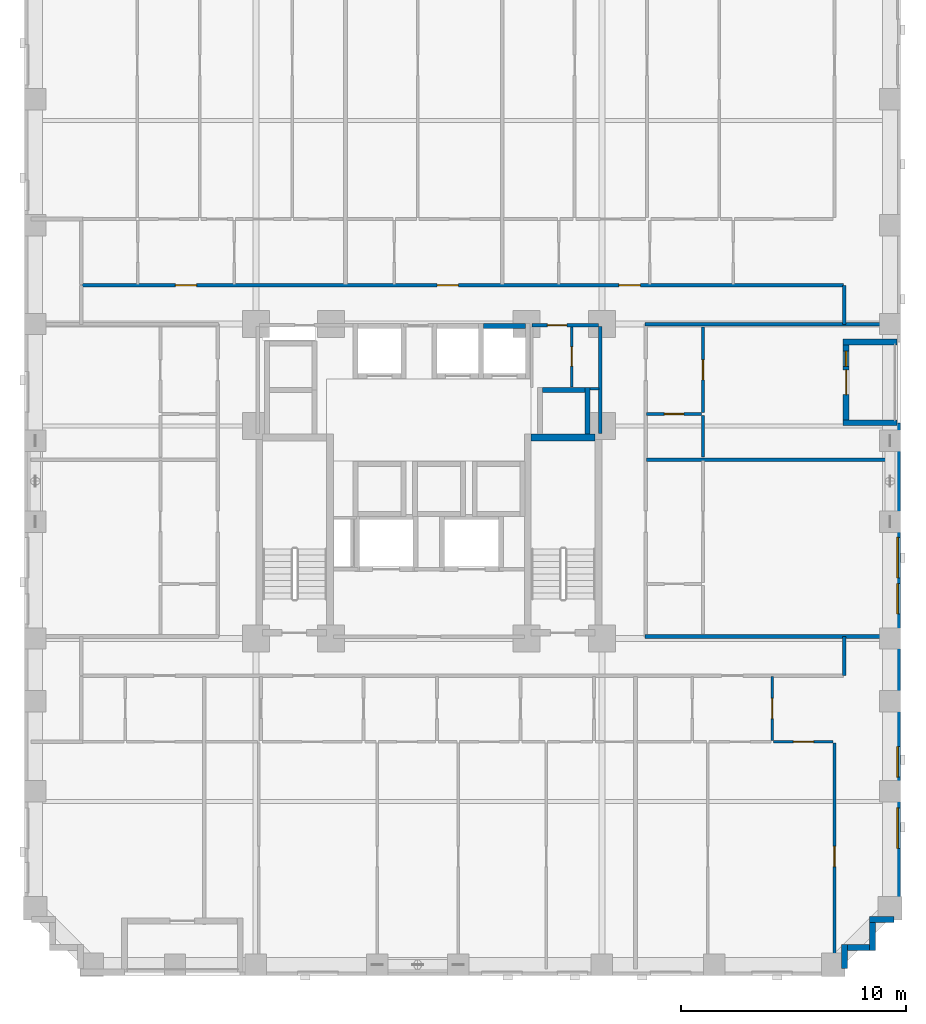
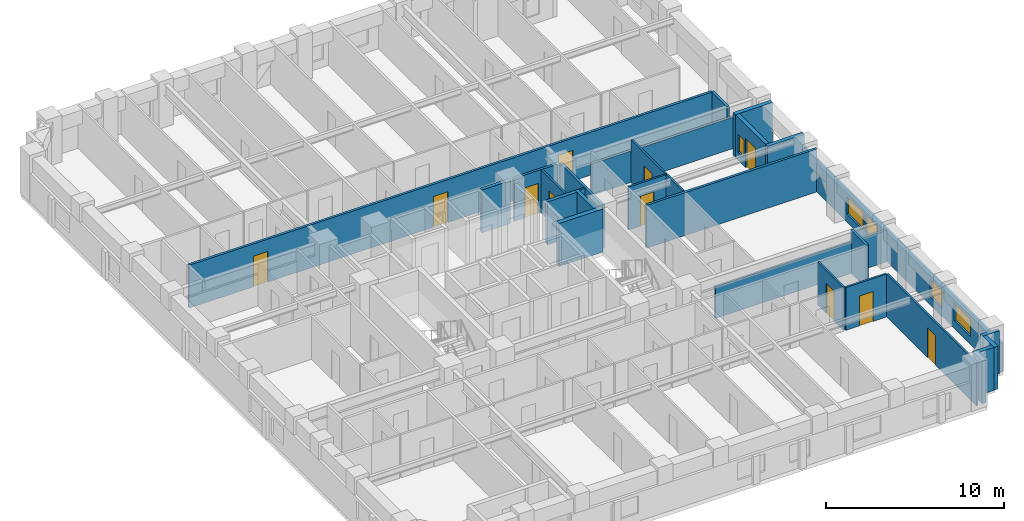
# One storey, part 6 of 13: 28 walls, 11 doors, 5 windows, 16 openings.
"""IFC4 building model written with IfcOpenShell, lengths in metres."""

from ifc_helpers import new_model, si_unit, derived_unit, direction, frame, frame_2d, origin, place, context, subcontext, project, spatial, rectangle, extrude, material, layer, layer_set, type_object, element, fill, save


model = new_model("IFC4")

# Units and contexts
model_context = context("Model", 3, precision=1e-05, world=origin(), true_north=direction((0.0, 1.0)))
body_context = subcontext(model_context, "Body", "Model", "MODEL_VIEW")
ifc_project = project(units=[si_unit("LENGTHUNIT", "METRE"), si_unit("AREAUNIT", "SQUARE_METRE"), si_unit("VOLUMEUNIT", "CUBIC_METRE"), si_unit("PLANEANGLEUNIT", "RADIAN"), si_unit("MASSUNIT", "GRAM", prefix="KILO"), derived_unit("THERMALTRANSMITTANCEUNIT", [(si_unit("MASSUNIT", "GRAM", prefix="KILO"), 1), (si_unit("TIMEUNIT", "SECOND"), -3), (si_unit("THERMODYNAMICTEMPERATUREUNIT", "KELVIN"), -1)])], contexts=[model_context])

# Site, building, storey
site_placement = place(None, origin())
site = spatial("IfcSite", under=ifc_project, at=site_placement, CompositionType="ELEMENT")
building_placement = place(site_placement, origin())
building = spatial("IfcBuilding", under=site, at=building_placement, Name="Korrvale Station Residences", CompositionType="ELEMENT")
storey_placement = place(building_placement, frame((0.0, 0.0, 35.39990234375)))
storey = spatial("IfcBuildingStorey", under=building, at=storey_placement, Name="L08", CompositionType="ELEMENT", Elevation=35.39990234375)

# Walls
ifc_material_1 = material(Name="Concrete C70/85", Category="concrete")
ifc_layer_1 = layer(ifc_material_1, 0.300048828125, Name="Concrete C70/85")
ifc_layer_set_1 = layer_set([ifc_layer_1], Name="Concrete C70/85")
wall_type_1 = type_object("IfcWallType", Name="WAL-CORE-300-C70", PredefinedType="SHEAR", material=ifc_layer_set_1)
wall_1_placement = place(storey_placement, frame((30.050048828125, 23.949951171875, 0.0), z_axis=(0.0, 0.0, 1.0), x_axis=(1.0, 0.0, 0.0)))
element("IfcWall", 1, at=wall_1_placement, inside=storey, type_object=wall_type_1, Name="L08 ST-2 Core Shear Wall North", PredefinedType="SHEAR", context=body_context, shape_type="SweptSolid", body=[
    extrude(rectangle(XDim=2.849853515625, YDim=0.300048828125, at=frame_2d((1.4248046875, 0.0))), origin(), (0.0, 0.0, 1.0), 2.940185546875),
])
ifc_material_2 = material(Name="Precast concrete C45/55", Category="concrete")
ifc_layer_2 = layer(ifc_material_2, 0.260009765625, Name="Precast concrete C45/55")
ifc_layer_set_2 = layer_set([ifc_layer_2], Name="Precast concrete C45/55")
wall_type_2 = type_object("IfcWallType", Name="WAL-EXT-LOG260", PredefinedType="SOLIDWALL", material=ifc_layer_set_2)
wall_2_placement = place(storey_placement, frame((46.340087890625, 28.199951171875, 0.0), z_axis=(0.0, 0.0, 1.0), x_axis=(-1.0, 0.0, 0.0)))
element("IfcWall", 2, at=wall_2_placement, inside=storey, type_object=wall_type_2, Name="L08 Recessed Loggia Wall BAL-L08-E1-L", PredefinedType="SOLIDWALL", context=body_context, shape_type="SweptSolid", body=[
    extrude(rectangle(XDim=2.400146484375, YDim=0.260009765625, at=frame_2d((1.2001953125, 0.0))), origin(), (0.0, 0.0, 1.0), 2.940185546875),
])

# Wall, openings, door, window
wall_3_placement = place(storey_placement, frame((44.070068359375, 28.06591796875, 0.0), z_axis=(0.0, 0.0, 1.0), x_axis=(0.0, -1.0, 0.0)))
wall_3 = element("IfcWall", 3, at=wall_3_placement, inside=storey, type_object=wall_type_2, Name="L08 Recessed Loggia Wall BAL-L08-E1-B", PredefinedType="SOLIDWALL", context=body_context, shape_type="SweptSolid", body=[
    extrude(rectangle(XDim=3.33203125, YDim=0.260009765625, at=frame_2d((1.666015625, 0.0))), origin(), (0.0, 0.0, 1.0), 2.940185546875),
])
opening_1_placement = place(wall_3_placement, frame((1.115966796875, 0.0, 0.0)))
opening_1 = element("IfcOpeningElement", 4, at=opening_1_placement, cuts=wall_3, Name="Opening BD-01", PredefinedType="OPENING", context=body_context, shape_type="SweptSolid", body=[
    extrude(rectangle(XDim=1.10009765625, YDim=2.0, at=frame_2d((0.550048828125, 1.0))), frame((0.0, 0.14013671875, 0.0), z_axis=(0.0, -1.0, 0.0), x_axis=(1.0, 0.0, 0.0)), (0.0, 0.0, 1.0), 0.280029296875),
])
opening_2_placement = place(wall_3_placement, frame((0.27587890625, 0.0, 0.550048828125)))
opening_2 = element("IfcOpeningElement", 5, at=opening_2_placement, cuts=wall_3, Name="Opening W-12", PredefinedType="OPENING", context=body_context, shape_type="SweptSolid", body=[
    extrude(rectangle(XDim=0.679931640625, YDim=1.199951171875, at=frame_2d((0.33984375, 0.60009765625))), frame((0.0, 0.14013671875, 0.0), z_axis=(0.0, -1.0, 0.0), x_axis=(1.0, 0.0, 0.0)), (0.0, 0.0, 1.0), 0.280029296875),
])
ifc_material_3 = material(Name="Exterior thermally broken aluminium glazed balcony door", Category="aluminium")
door_type_1 = type_object("IfcDoorType", Name="DR-EXT-BAL", OperationType="NOTDEFINED", PredefinedType="DOOR", material=ifc_material_3)
door_1_placement = place(opening_1_placement, origin())
door_1 = element("IfcDoor", 6, at=door_1_placement, inside=storey, type_object=door_type_1, Name="L08 Loggia Balcony Door BAL-L08-E1", OperationType="SINGLE_SWING_LEFT", OverallHeight=2.0, OverallWidth=1.10009765625, PredefinedType="DOOR", context=body_context, shape_type="SweptSolid", body=[
    extrude(rectangle(XDim=1.10009765625, YDim=2.0, at=frame_2d((0.550048828125, 1.0))), frame((0.0, 0.02490234375, 0.0), z_axis=(0.0, -1.0, 0.0), x_axis=(1.0, 0.0, 0.0)), (0.0, 0.0, 1.0), 0.050048828125),
])
fill(opening_1, door_1)
ifc_material_4 = material(Name="Thermally broken aluminium frame with triple low-e glazing", Category="aluminium")
window_type_1 = type_object("IfcWindowType", Name="WIN-W12", PartitioningType="SINGLE_PANEL", PredefinedType="WINDOW", material=ifc_material_4)
window_1_placement = place(opening_2_placement, origin())
window_1 = element("IfcWindow", 7, at=window_1_placement, inside=storey, type_object=window_type_1, Name="L08 Punched Window 26", OverallHeight=1.199951171875, OverallWidth=0.679931640625, PartitioningType="SINGLE_PANEL", PredefinedType="WINDOW", context=body_context, shape_type="SweptSolid", body=[
    extrude(rectangle(XDim=0.679931640625, YDim=1.199951171875, at=frame_2d((0.33984375, 0.60009765625))), frame((0.0, 0.030029296875, 0.0), z_axis=(0.0, -1.0, 0.0), x_axis=(1.0, 0.0, 0.0)), (0.0, 0.0, 1.0), 0.06005859375),
])
fill(opening_2, window_1)

# Walls
wall_4_placement = place(storey_placement, frame((43.93994140625, 24.60009765625, 0.0), z_axis=(0.0, 0.0, 1.0), x_axis=(1.0, 0.0, 0.0)))
element("IfcWall", 8, at=wall_4_placement, inside=storey, type_object=wall_type_2, Name="L08 Recessed Loggia Wall BAL-L08-E1-R", PredefinedType="SOLIDWALL", context=body_context, shape_type="SweptSolid", body=[
    extrude(rectangle(XDim=2.400146484375, YDim=0.260009765625, at=frame_2d((1.2001953125, 0.0))), origin(), (0.0, 0.0, 1.0), 2.940185546875),
])
wall_5_placement = place(storey_placement, frame((46.197998046875, 2.5, 0.0), z_axis=(0.0, 0.0, 1.0), x_axis=(-1.0, 0.0, 0.0)))
element("IfcWall", 9, at=wall_5_placement, inside=storey, type_object=wall_type_2, Name="L08 Serrated Corner Precast Step SE-1", PredefinedType="SOLIDWALL", context=body_context, shape_type="SweptSolid", body=[
    extrude(rectangle(XDim=1.077880859375, YDim=0.260009765625, at=frame_2d((0.5390625, 0.0))), origin(), (0.0, 0.0, 1.0), 2.940185546875),
])
wall_6_placement = place(storey_placement, frame((45.25, 2.367919921875, 0.0), z_axis=(0.0, 0.0, 1.0), x_axis=(0.0, -1.0, 0.0)))
element("IfcWall", 10, at=wall_6_placement, inside=storey, type_object=wall_type_2, Name="L08 Serrated Corner Precast Step SE-2", PredefinedType="SOLIDWALL", context=body_context, shape_type="SweptSolid", body=[
    extrude(rectangle(XDim=1.247802734375, YDim=0.260009765625, at=frame_2d((0.6240234375, 0.0))), origin(), (0.0, 0.0, 1.0), 2.940185546875),
])
wall_7_placement = place(storey_placement, frame((45.117919921875, 1.25, 0.0), z_axis=(0.0, 0.0, 1.0), x_axis=(-1.0, 0.0, 0.0)))
element("IfcWall", 11, at=wall_7_placement, inside=storey, type_object=wall_type_2, Name="L08 Serrated Corner Precast Step SE-3", PredefinedType="SOLIDWALL", context=body_context, shape_type="SweptSolid", body=[
    extrude(rectangle(XDim=0.98583984375, YDim=0.260009765625, at=frame_2d((0.492919921875, 0.0))), origin(), (0.0, 0.0, 1.0), 2.940185546875),
])
wall_8_placement = place(storey_placement, frame((44.0, 1.3798828125, 0.0), z_axis=(0.0, 0.0, 1.0), x_axis=(0.0, -1.0, 0.0)))
element("IfcWall", 12, at=wall_8_placement, inside=storey, type_object=wall_type_2, Name="L08 Serrated Corner Precast Step SE-4", PredefinedType="SOLIDWALL", context=body_context, shape_type="SweptSolid", body=[
    extrude(rectangle(XDim=1.077880859375, YDim=0.260009765625, at=frame_2d((0.5390625, 0.0))), origin(), (0.0, 0.0, 1.0), 2.940185546875),
])

# Wall, openings, windows
ifc_layer_3 = layer(ifc_material_2, 0.300048828125, Name="Precast concrete C45/55")
ifc_layer_set_3 = layer_set([ifc_layer_3], Name="Precast concrete C45/55")
wall_type_3 = type_object("IfcWallType", Name="WAL-EXT-PC300", PredefinedType="SOLIDWALL", material=ifc_layer_set_3)
wall_9_placement = place(storey_placement, frame((46.35009765625, 24.60009765625, 0.0), z_axis=(0.0, 0.0, 1.0), x_axis=(0.0, -1.0, 0.0)))
wall_9 = element("IfcWall", 13, at=wall_9_placement, inside=storey, type_object=wall_type_3, Name="L08 East Exterior Precast Wall 2", PredefinedType="SOLIDWALL", context=body_context, shape_type="SweptSolid", body=[
    extrude(rectangle(XDim=22.10009765625, YDim=0.300048828125, at=frame_2d((11.050048828125, 0.0))), origin(), (0.0, 0.0, 1.0), 1.97509765625),
])
opening_3_placement = place(wall_9_placement, frame((17.14111328125, 0.0, 0.550048828125)))
opening_3 = element("IfcOpeningElement", 14, at=opening_3_placement, cuts=wall_9, Name="Opening W-09", PredefinedType="OPENING", context=body_context, shape_type="SweptSolid", body=[
    extrude(rectangle(XDim=1.800048828125, YDim=1.199951171875, at=frame_2d((0.89990234375, 0.60009765625))), frame((0.0, 0.16015625, 0.0), z_axis=(0.0, -1.0, 0.0), x_axis=(1.0, 0.0, 0.0)), (0.0, 0.0, 1.0), 0.320068359375),
])
opening_4_placement = place(wall_9_placement, frame((14.4150390625, 0.0, 0.550048828125)))
opening_4 = element("IfcOpeningElement", 15, at=opening_4_placement, cuts=wall_9, Name="Opening W-10", PredefinedType="OPENING", context=body_context, shape_type="SweptSolid", body=[
    extrude(rectangle(XDim=1.35009765625, YDim=1.199951171875, at=frame_2d((0.675048828125, 0.60009765625))), frame((0.0, 0.16015625, 0.0), z_axis=(0.0, -1.0, 0.0), x_axis=(1.0, 0.0, 0.0)), (0.0, 0.0, 1.0), 0.320068359375),
])
opening_5_placement = place(wall_9_placement, frame((5.10009765625, 0.0, 0.550048828125)))
opening_5 = element("IfcOpeningElement", 16, at=opening_5_placement, cuts=wall_9, Name="Opening W-09", PredefinedType="OPENING", context=body_context, shape_type="SweptSolid", body=[
    extrude(rectangle(XDim=1.800048828125, YDim=1.199951171875, at=frame_2d((0.89990234375, 0.60009765625))), frame((0.0, 0.16015625, 0.0), z_axis=(0.0, -1.0, 0.0), x_axis=(1.0, 0.0, 0.0)), (0.0, 0.0, 1.0), 0.320068359375),
])
opening_6_placement = place(wall_9_placement, frame((7.159912109375, 0.0, 0.550048828125)))
opening_6 = element("IfcOpeningElement", 17, at=opening_6_placement, cuts=wall_9, Name="Opening W-10", PredefinedType="OPENING", context=body_context, shape_type="SweptSolid", body=[
    extrude(rectangle(XDim=1.35009765625, YDim=1.199951171875, at=frame_2d((0.675048828125, 0.60009765625))), frame((0.0, 0.16015625, 0.0), z_axis=(0.0, -1.0, 0.0), x_axis=(1.0, 0.0, 0.0)), (0.0, 0.0, 1.0), 0.320068359375),
])
window_type_2 = type_object("IfcWindowType", Name="WIN-W09", PartitioningType="DOUBLE_PANEL_VERTICAL", PredefinedType="WINDOW", material=ifc_material_4)
window_2_placement = place(opening_3_placement, origin())
window_2 = element("IfcWindow", 18, at=window_2_placement, inside=storey, type_object=window_type_2, Name="L08 Punched Window 08", OverallHeight=1.199951171875, OverallWidth=1.800048828125, PartitioningType="DOUBLE_PANEL_VERTICAL", PredefinedType="WINDOW", context=body_context, shape_type="SweptSolid", body=[
    extrude(rectangle(XDim=1.800048828125, YDim=1.199951171875, at=frame_2d((0.89990234375, 0.60009765625))), frame((0.0, 0.030029296875, 0.0), z_axis=(0.0, -1.0, 0.0), x_axis=(1.0, 0.0, 0.0)), (0.0, 0.0, 1.0), 0.06005859375),
])
fill(opening_3, window_2)
window_3_placement = place(opening_5_placement, origin())
window_3 = element("IfcWindow", 19, at=window_3_placement, inside=storey, type_object=window_type_2, Name="L08 Punched Window 24", OverallHeight=1.199951171875, OverallWidth=1.800048828125, PartitioningType="DOUBLE_PANEL_VERTICAL", PredefinedType="WINDOW", context=body_context, shape_type="SweptSolid", body=[
    extrude(rectangle(XDim=1.800048828125, YDim=1.199951171875, at=frame_2d((0.89990234375, 0.60009765625))), frame((0.0, 0.030029296875, 0.0), z_axis=(0.0, -1.0, 0.0), x_axis=(1.0, 0.0, 0.0)), (0.0, 0.0, 1.0), 0.06005859375),
])
fill(opening_5, window_3)
window_type_3 = type_object("IfcWindowType", Name="WIN-W10", PartitioningType="SINGLE_PANEL", PredefinedType="WINDOW", material=ifc_material_4)
window_4_placement = place(opening_4_placement, origin())
window_4 = element("IfcWindow", 20, at=window_4_placement, inside=storey, type_object=window_type_3, Name="L08 Punched Window 09", OverallHeight=1.199951171875, OverallWidth=1.35009765625, PartitioningType="SINGLE_PANEL", PredefinedType="WINDOW", context=body_context, shape_type="SweptSolid", body=[
    extrude(rectangle(XDim=1.35009765625, YDim=1.199951171875, at=frame_2d((0.675048828125, 0.60009765625))), frame((0.0, 0.030029296875, 0.0), z_axis=(0.0, -1.0, 0.0), x_axis=(1.0, 0.0, 0.0)), (0.0, 0.0, 1.0), 0.06005859375),
])
fill(opening_4, window_4)
window_5_placement = place(opening_6_placement, origin())
window_5 = element("IfcWindow", 21, at=window_5_placement, inside=storey, type_object=window_type_3, Name="L08 Punched Window 25", OverallHeight=1.199951171875, OverallWidth=1.35009765625, PartitioningType="SINGLE_PANEL", PredefinedType="WINDOW", context=body_context, shape_type="SweptSolid", body=[
    extrude(rectangle(XDim=1.35009765625, YDim=1.199951171875, at=frame_2d((0.675048828125, 0.60009765625))), frame((0.0, 0.030029296875, 0.0), z_axis=(0.0, -1.0, 0.0), x_axis=(1.0, 0.0, 0.0)), (0.0, 0.0, 1.0), 0.06005859375),
])
fill(opening_6, window_5)

# Wall
ifc_material_5 = material(Name="Acoustic steel-stud gypsum board partition", Category="steel")
ifc_layer_4 = layer(ifc_material_5, 0.1201171875, Name="Acoustic steel-stud gypsum board partition")
ifc_layer_set_4 = layer_set([ifc_layer_4], Name="Acoustic steel-stud gypsum board partition")
wall_type_4 = type_object("IfcWallType", Name="WAL-PART-125", PredefinedType="PARTITIONING", material=ifc_layer_set_4)
wall_10_placement = place(storey_placement, frame((32.679931640625, 26.1201171875, 0.0), z_axis=(0.0, 0.0, 1.0), x_axis=(1.0, 0.0, 0.0)))
element("IfcWall", 22, at=wall_10_placement, inside=storey, type_object=wall_type_4, Name="L08 Core Partition CW-CS-S", PredefinedType="PARTITIONING", context=body_context, shape_type="SweptSolid", body=[
    extrude(rectangle(XDim=0.380126953125, YDim=0.1201171875, at=frame_2d((0.18994140625, 0.0))), origin(), (0.0, 0.0, 1.0), 2.940185546875),
])

# Wall, opening, door
wall_11_placement = place(storey_placement, frame((31.860107421875, 26.199951171875, 0.0), z_axis=(0.0, 0.0, 1.0), x_axis=(0.0, 1.0, 0.0)))
wall_11 = element("IfcWall", 23, at=wall_11_placement, inside=storey, type_object=wall_type_4, Name="L08 Core Partition CW-CS-MID", PredefinedType="PARTITIONING", context=body_context, shape_type="SweptSolid", body=[
    extrude(rectangle(XDim=2.66015625, YDim=0.1201171875, at=frame_2d((1.330078125, 0.0))), origin(), (0.0, 0.0, 1.0), 2.940185546875),
])
opening_7_placement = place(wall_11_placement, frame((0.919921875, 0.0, 0.0)))
opening_7 = element("IfcOpeningElement", 24, at=opening_7_placement, cuts=wall_11, Name="Opening DB-860", PredefinedType="OPENING", context=body_context, shape_type="SweptSolid", body=[
    extrude(rectangle(XDim=0.860107421875, YDim=2.050048828125, at=frame_2d((0.43017578125, 1.02490234375))), frame((0.0, 0.070068359375, 0.0), z_axis=(0.0, -1.0, 0.0), x_axis=(1.0, 0.0, 0.0)), (0.0, 0.0, 1.0), 0.14013671875),
])
ifc_material_6 = material(Name="Moisture-resistant solid-core bathroom door", Category="timber")
door_type_2 = type_object("IfcDoorType", Name="DR-BATH-860", OperationType="NOTDEFINED", PredefinedType="DOOR", material=ifc_material_6)
door_2_placement = place(opening_7_placement, origin())
door_2 = element("IfcDoor", 25, at=door_2_placement, inside=storey, type_object=door_type_2, Name="L08 Metering Inner Door", OperationType="SINGLE_SWING_RIGHT", OverallHeight=2.050048828125, OverallWidth=0.860107421875, PredefinedType="DOOR", context=body_context, shape_type="SweptSolid", body=[
    extrude(rectangle(XDim=0.860107421875, YDim=2.050048828125, at=frame_2d((0.43017578125, 1.02490234375))), frame((0.0, 0.02490234375, 0.0), z_axis=(0.0, -1.0, 0.0), x_axis=(1.0, 0.0, 0.0)), (0.0, 0.0, 1.0), 0.050048828125),
])
fill(opening_7, door_2)

wall_12_placement = place(storey_placement, frame((40.785888671875, 10.4599609375, 0.0), z_axis=(0.0, 0.0, 1.0), x_axis=(0.0, 1.0, 0.0)))
wall_12 = element("IfcWall", 26, at=wall_12_placement, inside=storey, type_object=wall_type_4, Name="L08 Suite Partition U03-V12", PredefinedType="PARTITIONING", context=body_context, shape_type="SweptSolid", body=[
    extrude(rectangle(XDim=2.85009765625, YDim=0.1201171875, at=frame_2d((1.425048828125, 0.0))), origin(), (0.0, 0.0, 1.0), 2.940185546875),
])
opening_8_placement = place(wall_12_placement, frame((0.97509765625, 0.0, 0.0)))
opening_8 = element("IfcOpeningElement", 27, at=opening_8_placement, cuts=wall_12, Name="Opening DI-900", PredefinedType="OPENING", context=body_context, shape_type="SweptSolid", body=[
    extrude(rectangle(XDim=0.89990234375, YDim=2.050048828125, at=frame_2d((0.449951171875, 1.02490234375))), frame((0.0, 0.070068359375, 0.0), z_axis=(0.0, -1.0, 0.0), x_axis=(1.0, 0.0, 0.0)), (0.0, 0.0, 1.0), 0.14013671875),
])
ifc_material_7 = material(Name="Painted solid-core timber interior room door", Category="wood")
door_type_3 = type_object("IfcDoorType", Name="DR-INT-900", OperationType="NOTDEFINED", PredefinedType="DOOR", material=ifc_material_7)
door_3_placement = place(opening_8_placement, origin())
door_3 = element("IfcDoor", 28, at=door_3_placement, inside=storey, type_object=door_type_3, Name="L08 Studio Apartment L08-U03 Kitchen Door", OperationType="SINGLE_SWING_LEFT", OverallHeight=2.050048828125, OverallWidth=0.89990234375, PredefinedType="DOOR", context=body_context, shape_type="SweptSolid", body=[
    extrude(rectangle(XDim=0.89990234375, YDim=2.050048828125, at=frame_2d((0.449951171875, 1.02490234375))), frame((0.0, 0.02490234375, 0.0), z_axis=(0.0, -1.0, 0.0), x_axis=(1.0, 0.0, 0.0)), (0.0, 0.0, 1.0), 0.050048828125),
])
fill(opening_8, door_3)

wall_13_placement = place(storey_placement, frame((40.845947265625, 10.39990234375, 0.0), z_axis=(0.0, 0.0, 1.0), x_axis=(1.0, 0.0, 0.0)))
wall_13 = element("IfcWall", 29, at=wall_13_placement, inside=storey, type_object=wall_type_4, Name="L08 Suite Partition U03-H24", PredefinedType="PARTITIONING", context=body_context, shape_type="SweptSolid", body=[
    extrude(rectangle(XDim=2.64404296875, YDim=0.1201171875, at=frame_2d((1.322021484375, 0.0))), origin(), (0.0, 0.0, 1.0), 2.940185546875),
])
opening_9_placement = place(wall_13_placement, frame((0.8720703125, 0.0, 0.0)))
opening_9 = element("IfcOpeningElement", 30, at=opening_9_placement, cuts=wall_13, Name="Opening DI-900", PredefinedType="OPENING", context=body_context, shape_type="SweptSolid", body=[
    extrude(rectangle(XDim=0.89990234375, YDim=2.050048828125, at=frame_2d((0.449951171875, 1.02490234375))), frame((0.0, 0.070068359375, 0.0), z_axis=(0.0, -1.0, 0.0), x_axis=(1.0, 0.0, 0.0)), (0.0, 0.0, 1.0), 0.14013671875),
])
door_4_placement = place(opening_9_placement, origin())
door_4 = element("IfcDoor", 31, at=door_4_placement, inside=storey, type_object=door_type_3, Name="L08 Studio Apartment L08-U03 Utility and Laundry Room Door", OperationType="SINGLE_SWING_LEFT", OverallHeight=2.050048828125, OverallWidth=0.89990234375, PredefinedType="DOOR", context=body_context, shape_type="SweptSolid", body=[
    extrude(rectangle(XDim=0.89990234375, YDim=2.050048828125, at=frame_2d((0.449951171875, 1.02490234375))), frame((0.0, 0.02490234375, 0.0), z_axis=(0.0, -1.0, 0.0), x_axis=(1.0, 0.0, 0.0)), (0.0, 0.0, 1.0), 0.050048828125),
])
fill(opening_9, door_4)

wall_14_placement = place(storey_placement, frame((43.550048828125, 0.280029296875, 0.0), z_axis=(0.0, 0.0, 1.0), x_axis=(0.0, 1.0, 0.0)))
wall_14 = element("IfcWall", 32, at=wall_14_placement, inside=storey, type_object=wall_type_4, Name="L08 Suite Partition U03-V45", PredefinedType="PARTITIONING", context=body_context, shape_type="SweptSolid", body=[
    extrude(rectangle(XDim=10.06005859375, YDim=0.1201171875, at=frame_2d((5.030029296875, 0.0))), origin(), (0.0, 0.0, 1.0), 2.940185546875),
])
opening_10_placement = place(wall_14_placement, frame((4.56494140625, 0.0, 0.0)))
opening_10 = element("IfcOpeningElement", 33, at=opening_10_placement, cuts=wall_14, Name="Opening DI-900", PredefinedType="OPENING", context=body_context, shape_type="SweptSolid", body=[
    extrude(rectangle(XDim=0.89990234375, YDim=2.050048828125, at=frame_2d((0.449951171875, 1.02490234375))), frame((0.0, 0.070068359375, 0.0), z_axis=(0.0, -1.0, 0.0), x_axis=(1.0, 0.0, 0.0)), (0.0, 0.0, 1.0), 0.14013671875),
])
door_5_placement = place(opening_10_placement, origin())
door_5 = element("IfcDoor", 34, at=door_5_placement, inside=storey, type_object=door_type_3, Name="L08 Studio Apartment L08-U03 Studio Living Room Door", OperationType="SINGLE_SWING_LEFT", OverallHeight=2.050048828125, OverallWidth=0.89990234375, PredefinedType="DOOR", context=body_context, shape_type="SweptSolid", body=[
    extrude(rectangle(XDim=0.89990234375, YDim=2.050048828125, at=frame_2d((0.449951171875, 1.02490234375))), frame((0.0, 0.02490234375, 0.0), z_axis=(0.0, -1.0, 0.0), x_axis=(1.0, 0.0, 0.0)), (0.0, 0.0, 1.0), 0.050048828125),
])
fill(opening_10, door_5)

wall_15_placement = place(storey_placement, frame((35.18994140625, 24.991943359375, 0.0), z_axis=(0.0, 0.0, 1.0), x_axis=(1.0, 0.0, 0.0)))
wall_15 = element("IfcWall", 35, at=wall_15_placement, inside=storey, type_object=wall_type_4, Name="L08 Suite Partition U10-H01", PredefinedType="PARTITIONING", context=body_context, shape_type="SweptSolid", body=[
    extrude(rectangle(XDim=2.449951171875, YDim=0.1201171875, at=frame_2d((1.22509765625, 0.0))), origin(), (0.0, 0.0, 1.0), 2.940185546875),
])
opening_11_placement = place(wall_15_placement, frame((0.794921875, 0.0, 0.0)))
opening_11 = element("IfcOpeningElement", 36, at=opening_11_placement, cuts=wall_15, Name="Opening DB-860", PredefinedType="OPENING", context=body_context, shape_type="SweptSolid", body=[
    extrude(rectangle(XDim=0.860107421875, YDim=2.050048828125, at=frame_2d((0.43017578125, 1.02490234375))), frame((0.0, 0.070068359375, 0.0), z_axis=(0.0, -1.0, 0.0), x_axis=(1.0, 0.0, 0.0)), (0.0, 0.0, 1.0), 0.14013671875),
])
door_6_placement = place(opening_11_placement, origin())
door_6 = element("IfcDoor", 37, at=door_6_placement, inside=storey, type_object=door_type_2, Name="L08 Apartment 1BR L08-U10 Bathroom Door", OperationType="SINGLE_SWING_RIGHT", OverallHeight=2.050048828125, OverallWidth=0.860107421875, PredefinedType="DOOR", context=body_context, shape_type="SweptSolid", body=[
    extrude(rectangle(XDim=0.860107421875, YDim=2.050048828125, at=frame_2d((0.43017578125, 1.02490234375))), frame((0.0, 0.02490234375, 0.0), z_axis=(0.0, -1.0, 0.0), x_axis=(1.0, 0.0, 0.0)), (0.0, 0.0, 1.0), 0.050048828125),
])
fill(opening_11, door_6)

# Wall
wall_16_placement = place(storey_placement, frame((37.699951171875, 23.08203125, 0.0), z_axis=(0.0, 0.0, 1.0), x_axis=(0.0, 1.0, 0.0)))
element("IfcWall", 38, at=wall_16_placement, inside=storey, type_object=wall_type_4, Name="L08 Suite Partition U10-V02", PredefinedType="PARTITIONING", context=body_context, shape_type="SweptSolid", body=[
    extrude(rectangle(XDim=1.849853515625, YDim=0.1201171875, at=frame_2d((0.9248046875, 0.0))), origin(), (0.0, 0.0, 1.0), 2.940185546875),
])

# Wall, opening, door
wall_17_placement = place(storey_placement, frame((37.699951171875, 25.052001953125, 0.0), z_axis=(0.0, 0.0, 1.0), x_axis=(0.0, 1.0, 0.0)))
wall_17 = element("IfcWall", 39, at=wall_17_placement, inside=storey, type_object=wall_type_4, Name="L08 Suite Partition U10-V12", PredefinedType="PARTITIONING", context=body_context, shape_type="SweptSolid", body=[
    extrude(rectangle(XDim=3.80810546875, YDim=0.1201171875, at=frame_2d((1.904052734375, 0.0))), origin(), (0.0, 0.0, 1.0), 2.940185546875),
])
opening_12_placement = place(wall_17_placement, frame((1.4541015625, 0.0, 0.0)))
opening_12 = element("IfcOpeningElement", 40, at=opening_12_placement, cuts=wall_17, Name="Opening DI-900", PredefinedType="OPENING", context=body_context, shape_type="SweptSolid", body=[
    extrude(rectangle(XDim=0.89990234375, YDim=2.050048828125, at=frame_2d((0.449951171875, 1.02490234375))), frame((0.0, 0.070068359375, 0.0), z_axis=(0.0, -1.0, 0.0), x_axis=(1.0, 0.0, 0.0)), (0.0, 0.0, 1.0), 0.14013671875),
])
door_7_placement = place(opening_12_placement, origin())
door_7 = element("IfcDoor", 41, at=door_7_placement, inside=storey, type_object=door_type_3, Name="L08 Apartment 1BR L08-U10 Kitchen Door", OperationType="SINGLE_SWING_LEFT", OverallHeight=2.050048828125, OverallWidth=0.89990234375, PredefinedType="DOOR", context=body_context, shape_type="SweptSolid", body=[
    extrude(rectangle(XDim=0.89990234375, YDim=2.050048828125, at=frame_2d((0.449951171875, 1.02490234375))), frame((0.0, 0.02490234375, 0.0), z_axis=(0.0, -1.0, 0.0), x_axis=(1.0, 0.0, 0.0)), (0.0, 0.0, 1.0), 0.050048828125),
])
fill(opening_12, door_7)

# Wall
ifc_material_8 = material(Name="Fire-rated twin-stud gypsum and mineral wool shaftwall assembly", Category="gypsum")
ifc_layer_5 = layer(ifc_material_8, 0.159912109375, Name="Fire-rated twin-stud gypsum and mineral wool shaftwall assembly")
ifc_layer_set_5 = layer_set([ifc_layer_5], Name="Fire-rated twin-stud gypsum and mineral wool shaftwall assembly")
wall_type_5 = type_object("IfcWallType", Name="WAL-PART-200", PredefinedType="PARTITIONING", material=ifc_layer_set_5)
wall_18_placement = place(storey_placement, frame((33.1201171875, 24.1201171875, 0.0), z_axis=(0.0, 0.0, 1.0), x_axis=(0.0, 1.0, 0.0)))
element("IfcWall", 42, at=wall_18_placement, inside=storey, type_object=wall_type_5, Name="L08 Core Partition CW-E-N", PredefinedType="PARTITIONING", context=body_context, shape_type="SweptSolid", body=[
    extrude(rectangle(XDim=4.759765625, YDim=0.159912109375, at=frame_2d((2.3798828125, 0.0))), origin(), (0.0, 0.0, 1.0), 2.940185546875),
])

# Wall, opening, door
wall_19_placement = place(storey_placement, frame((30.080078125, 28.949951171875, 0.0), z_axis=(0.0, 0.0, 1.0), x_axis=(1.0, 0.0, 0.0)))
wall_19 = element("IfcWall", 43, at=wall_19_placement, inside=storey, type_object=wall_type_5, Name="L08 Core Partition CW-CS-N", PredefinedType="PARTITIONING", context=body_context, shape_type="SweptSolid", body=[
    extrude(rectangle(XDim=2.9599609375, YDim=0.159912109375, at=frame_2d((1.47998046875, 0.0))), origin(), (0.0, 0.0, 1.0), 2.940185546875),
])
opening_13_placement = place(wall_19_placement, frame((0.695068359375, 0.0, 0.0)))
opening_13 = element("IfcOpeningElement", 44, at=opening_13_placement, cuts=wall_19, Name="Opening DB-860", PredefinedType="OPENING", context=body_context, shape_type="SweptSolid", body=[
    extrude(rectangle(XDim=0.860107421875, YDim=2.050048828125, at=frame_2d((0.43017578125, 1.02490234375))), frame((0.0, 0.08984375, 0.0), z_axis=(0.0, -1.0, 0.0), x_axis=(1.0, 0.0, 0.0)), (0.0, 0.0, 1.0), 0.179931640625),
])
door_8_placement = place(opening_13_placement, origin())
door_8 = element("IfcDoor", 45, at=door_8_placement, inside=storey, type_object=door_type_2, Name="L08 Housekeeping Supply Door", OperationType="SINGLE_SWING_LEFT", OverallHeight=2.050048828125, OverallWidth=0.860107421875, PredefinedType="DOOR", context=body_context, shape_type="SweptSolid", body=[
    extrude(rectangle(XDim=0.860107421875, YDim=2.050048828125, at=frame_2d((0.43017578125, 1.02490234375))), frame((0.0, 0.02490234375, 0.0), z_axis=(0.0, -1.0, 0.0), x_axis=(1.0, 0.0, 0.0)), (0.0, 0.0, 1.0), 0.050048828125),
])
fill(opening_13, door_8)

# Walls
for number, where, z_axis, x_axis, name in (
    (46, (43.97998046875, 13.35009765625, 0.0), (0.0, 0.0, 1.0), (0.0, 1.0, 0.0), "L08 Corridor South East Cap"),
    (47, (43.97998046875, 28.97998046875, 0.0), (0.0, 0.0, 1.0), (0.0, 1.0, 0.0), "L08 Corridor North East Cap"),
):
    element("IfcWall", number, at=place(storey_placement, frame(where, z_axis=z_axis, x_axis=x_axis)), inside=storey, type_object=wall_type_5, Name=name, PredefinedType="PARTITIONING", context=body_context, shape_type="SweptSolid", body=[
        extrude(rectangle(XDim=1.739990234375, YDim=0.159912109375, at=frame_2d((0.8701171875, 0.0))), origin(), (0.0, 0.0, 1.0), 2.940185546875),
    ])
for number, where, z_axis, x_axis, name in (
    (48, (35.110107421875, 15.090087890625, 0.0), (0.0, 0.0, 1.0), (1.0, 0.0, 0.0), "L08 East Wing South Corridor Wall"),
    (49, (35.110107421875, 28.97998046875, 0.0), (0.0, 0.0, 1.0), (1.0, 0.0, 0.0), "L08 East Wing North Corridor Wall"),
):
    element("IfcWall", number, at=place(storey_placement, frame(where, z_axis=z_axis, x_axis=x_axis)), inside=storey, type_object=wall_type_5, Name=name, PredefinedType="PARTITIONING", context=body_context, shape_type="SweptSolid", body=[
        extrude(rectangle(XDim=11.10986328125, YDim=0.159912109375, at=frame_2d((5.554931640625, 0.0))), origin(), (0.0, 0.0, 1.0), 2.155029296875),
    ])
wall_20_placement = place(storey_placement, frame((35.18994140625, 22.9619140625, 0.0), z_axis=(0.0, 0.0, 1.0), x_axis=(1.0, 0.0, 0.0)))
element("IfcWall", 50, at=wall_20_placement, inside=storey, type_object=wall_type_5, Name="L08 Demising Wall U09-N", PredefinedType="PARTITIONING", context=body_context, shape_type="SweptSolid", body=[
    extrude(rectangle(XDim=11.030029296875, YDim=0.159912109375, at=frame_2d((5.51513671875, 0.0))), origin(), (0.0, 0.0, 1.0), 2.940185546875),
])

# Wall, openings, doors
wall_21_placement = place(storey_placement, frame((10.050048828125, 30.719970703125, 0.0), z_axis=(0.0, 0.0, 1.0), x_axis=(1.0, 0.0, 0.0)))
wall_21 = element("IfcWall", 51, at=wall_21_placement, inside=storey, type_object=wall_type_5, Name="L08 Rated Corridor Wall N", PredefinedType="PARTITIONING", context=body_context, shape_type="SweptSolid", body=[
    extrude(rectangle(XDim=33.89990234375, YDim=0.159912109375, at=frame_2d((16.949951171875, 0.0))), origin(), (0.0, 0.0, 1.0), 2.940185546875),
])
opening_14_placement = place(wall_21_placement, frame((4.1650390625, 0.0, 0.0)))
opening_14 = element("IfcOpeningElement", 52, at=opening_14_placement, cuts=wall_21, Name="Opening UD-950", PredefinedType="OPENING", context=body_context, shape_type="SweptSolid", body=[
    extrude(rectangle(XDim=0.949951171875, YDim=2.10009765625, at=frame_2d((0.47509765625, 1.050048828125))), frame((0.0, 0.08984375, 0.0), z_axis=(0.0, -1.0, 0.0), x_axis=(1.0, 0.0, 0.0)), (0.0, 0.0, 1.0), 0.179931640625),
])
opening_15_placement = place(wall_21_placement, frame((15.81298828125, 0.0, 0.0)))
opening_15 = element("IfcOpeningElement", 53, at=opening_15_placement, cuts=wall_21, Name="Opening UD-950", PredefinedType="OPENING", context=body_context, shape_type="SweptSolid", body=[
    extrude(rectangle(XDim=0.949951171875, YDim=2.10009765625, at=frame_2d((0.47509765625, 1.050048828125))), frame((0.0, 0.08984375, 0.0), z_axis=(0.0, -1.0, 0.0), x_axis=(1.0, 0.0, 0.0)), (0.0, 0.0, 1.0), 0.179931640625),
])
opening_16_placement = place(wall_21_placement, frame((23.909912109375, 0.0, 0.0)))
opening_16 = element("IfcOpeningElement", 54, at=opening_16_placement, cuts=wall_21, Name="Opening UD-950", PredefinedType="OPENING", context=body_context, shape_type="SweptSolid", body=[
    extrude(rectangle(XDim=0.949951171875, YDim=2.10009765625, at=frame_2d((0.47509765625, 1.050048828125))), frame((0.0, 0.08984375, 0.0), z_axis=(0.0, -1.0, 0.0), x_axis=(1.0, 0.0, 0.0)), (0.0, 0.0, 1.0), 0.179931640625),
])
ifc_material_9 = material(Name="Solid-core acoustic oak apartment entrance door", Category="timber")
door_type_4 = type_object("IfcDoorType", Name="DR-UNIT-950", OperationType="NOTDEFINED", PredefinedType="DOOR", material=ifc_material_9)
door_9_placement = place(opening_14_placement, origin())
door_9 = element("IfcDoor", 55, at=door_9_placement, inside=storey, type_object=door_type_4, Name="L08 Apartment L08-U04 Entrance Door", OperationType="SINGLE_SWING_LEFT", OverallHeight=2.10009765625, OverallWidth=0.949951171875, PredefinedType="DOOR", context=body_context, shape_type="SweptSolid", body=[
    extrude(rectangle(XDim=0.949951171875, YDim=2.10009765625, at=frame_2d((0.47509765625, 1.050048828125))), frame((0.0, 0.02490234375, 0.0), z_axis=(0.0, -1.0, 0.0), x_axis=(1.0, 0.0, 0.0)), (0.0, 0.0, 1.0), 0.050048828125),
])
fill(opening_14, door_9)
door_10_placement = place(opening_15_placement, origin())
door_10 = element("IfcDoor", 56, at=door_10_placement, inside=storey, type_object=door_type_4, Name="L08 Apartment L08-U05 Entrance Door", OperationType="SINGLE_SWING_RIGHT", OverallHeight=2.10009765625, OverallWidth=0.949951171875, PredefinedType="DOOR", context=body_context, shape_type="SweptSolid", body=[
    extrude(rectangle(XDim=0.949951171875, YDim=2.10009765625, at=frame_2d((0.47509765625, 1.050048828125))), frame((0.0, 0.02490234375, 0.0), z_axis=(0.0, -1.0, 0.0), x_axis=(1.0, 0.0, 0.0)), (0.0, 0.0, 1.0), 0.050048828125),
])
fill(opening_15, door_10)
door_11_placement = place(opening_16_placement, origin())
door_11 = element("IfcDoor", 57, at=door_11_placement, inside=storey, type_object=door_type_4, Name="L08 Apartment L08-U06 Entrance Door", OperationType="SINGLE_SWING_LEFT", OverallHeight=2.10009765625, OverallWidth=0.949951171875, PredefinedType="DOOR", context=body_context, shape_type="SweptSolid", body=[
    extrude(rectangle(XDim=0.949951171875, YDim=2.10009765625, at=frame_2d((0.47509765625, 1.050048828125))), frame((0.0, 0.02490234375, 0.0), z_axis=(0.0, -1.0, 0.0), x_axis=(1.0, 0.0, 0.0)), (0.0, 0.0, 1.0), 0.050048828125),
])
fill(opening_16, door_11)

# Walls
ifc_layer_6 = layer(ifc_material_1, 0.219970703125, Name="Concrete C70/85")
ifc_layer_set_6 = layer_set([ifc_layer_6], Name="Concrete C70/85")
wall_type_6 = type_object("IfcWallType", Name="WAL-SHAFT-220-C70", PredefinedType="SHEAR", material=ifc_layer_set_6)
wall_22_placement = place(storey_placement, frame((27.929931640625, 28.909912109375, 0.0), z_axis=(0.0, 0.0, 1.0), x_axis=(1.0, 0.0, 0.0)))
element("IfcWall", 58, at=wall_22_placement, inside=storey, type_object=wall_type_6, Name="L08 Elevator PL-3 Hoistway Wall North", PredefinedType="SHEAR", context=body_context, shape_type="SweptSolid", body=[
    extrude(rectangle(XDim=1.860107421875, YDim=0.219970703125, at=frame_2d((0.93017578125, 0.0))), origin(), (0.0, 0.0, 1.0), 2.940185546875),
])
wall_23_placement = place(storey_placement, frame((30.550048828125, 26.06005859375, 0.0), z_axis=(0.0, 0.0, 1.0), x_axis=(1.0, 0.0, 0.0)))
element("IfcWall", 59, at=wall_23_placement, inside=storey, type_object=wall_type_6, Name="L08 Elevator PH-3 Hoistway Wall North", PredefinedType="SHEAR", context=body_context, shape_type="SweptSolid", body=[
    extrude(rectangle(XDim=1.89990234375, YDim=0.219970703125, at=frame_2d((0.949951171875, 0.0))), origin(), (0.0, 0.0, 1.0), 2.940185546875),
])
wall_24_placement = place(storey_placement, frame((32.56005859375, 24.10009765625, 0.0), z_axis=(0.0, 0.0, 1.0), x_axis=(0.0, 1.0, 0.0)))
element("IfcWall", 60, at=wall_24_placement, inside=storey, type_object=wall_type_6, Name="L08 Elevator PH-3 Hoistway Wall East", PredefinedType="SHEAR", context=body_context, shape_type="SweptSolid", body=[
    extrude(rectangle(XDim=2.06982421875, YDim=0.219970703125, at=frame_2d((1.034912109375, 0.0))), origin(), (0.0, 0.0, 1.0), 2.940185546875),
])

save(model, "model.ifc")
